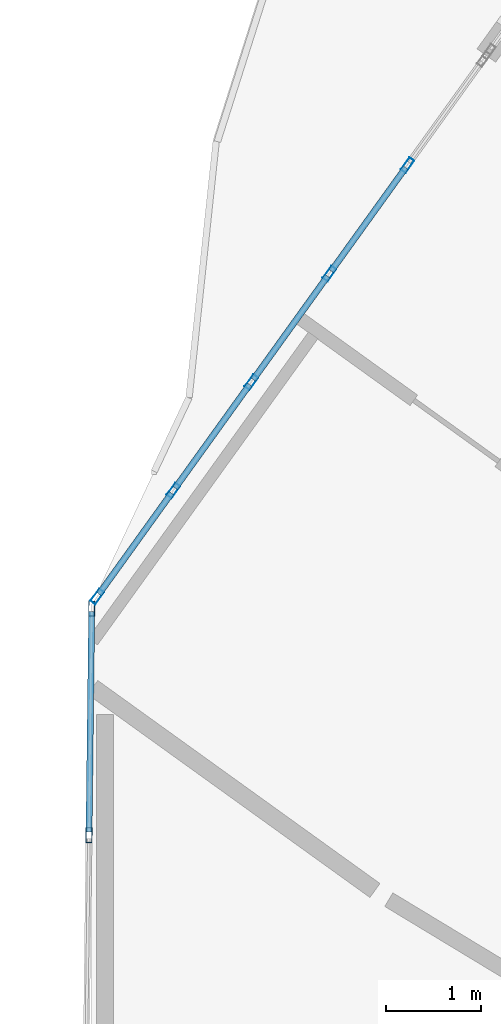
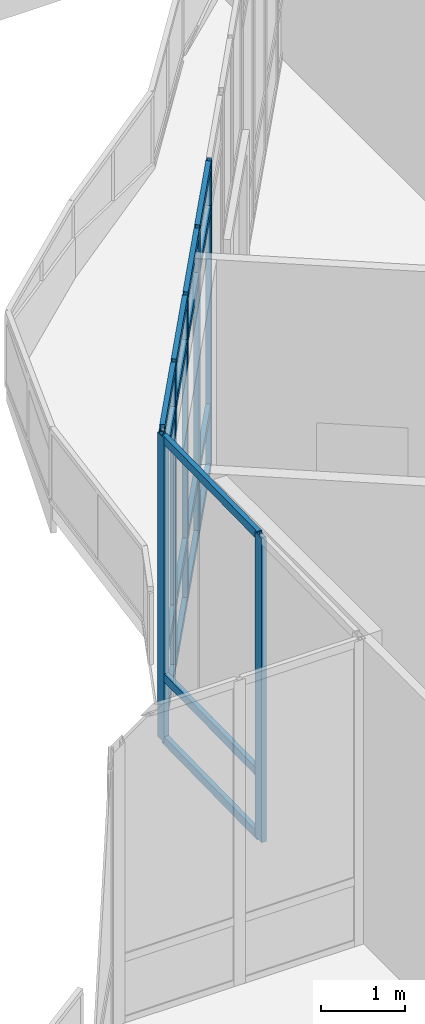
# One storey, part 19 of 168: 26 members, 2 elements without a shape of their own.
"""IFC4 building model written with IfcOpenShell, lengths in metres."""

from ifc_helpers import new_model, si_unit, direction, frame, origin, origin_2d, place, context, subcontext, project, spatial, hollow_rectangle, extrude, material, material_profile, profile_set, type_object, element, aggregate, save


model = new_model("IFC4")

# Units and contexts
model_context = context("Model", 3, precision=1e-05, world=origin(), true_north=direction((0.0, 1.0)))
body_context = subcontext(model_context, "Body", "Model", "MODEL_VIEW")
ifc_project = project(units=[si_unit("LENGTHUNIT", "METRE"), si_unit("AREAUNIT", "SQUARE_METRE"), si_unit("VOLUMEUNIT", "CUBIC_METRE"), si_unit("PLANEANGLEUNIT", "RADIAN"), si_unit("MASSUNIT", "GRAM", prefix="KILO")], contexts=[model_context])

# Site, building, storey
site_placement = place(None, origin())
site = spatial("IfcSite", under=ifc_project, at=site_placement, CompositionType="ELEMENT")
building_placement = place(site_placement, origin())
building = spatial("IfcBuilding", under=site, at=building_placement, Name="Selatvlak General Hospital", CompositionType="ELEMENT")
storey_placement = place(building_placement, frame((0.0, 0.0, 5.39990234375)))
storey = spatial("IfcBuildingStorey", under=building, at=storey_placement, Name="L01", CompositionType="ELEMENT", Elevation=5.39990234375)

# Curtain wall, members
ifc_material_1 = material(Name="Solar-control Low-E double glazing", Category="glass")
curtain_wall_type_1 = type_object("IfcCurtainWallType", Name="CW-CW-02", PredefinedType="USERDEFINED", material=ifc_material_1)
curtain_wall_1_placement = place(storey_placement, origin())
curtain_wall_1 = element("IfcCurtainWall", 1, at=curtain_wall_1_placement, inside=storey, type_object=curtain_wall_type_1, Name="Glazed facade curtain wall CW-L01-0186", ObjectType="UNITISED CURTAIN WALL", PredefinedType="USERDEFINED")
ifc_material_2 = material(Name="Dark anodised aluminium mullion", Category="aluminium")
ifc_material_profile_1 = material_profile(ifc_material_2, hollow_rectangle(XDim=0.06494140625, YDim=0.159912109375, WallThickness=0.00390625, at=origin_2d()), Name="AL-MUL 65x160x4")
ifc_profile_set_1 = profile_set([ifc_material_profile_1], Name="Dark anodised aluminium mullion")
member_type_1 = type_object("IfcMemberType", Name="CWM-01", PredefinedType="MULLION", material=ifc_profile_set_1)
member_1_placement = place(storey_placement, frame((22.7705078125, 34.478515625, 0.0), z_axis=(0.0, 0.0, 1.0), x_axis=(-0.999925308571, 0.012221999835, 0.0)))
member_1 = element("IfcMember", 2, at=member_1_placement, type_object=member_type_1, Name="CW-02 mullion 2", PredefinedType="MULLION", context=body_context, shape_type="SweptSolid", body=[
    extrude(hollow_rectangle(XDim=0.06494140625, YDim=0.159912109375, WallThickness=0.00390625, at=origin_2d()), origin(), (0.0, 0.0, 1.0), 4.445068359375),
])
member_2_placement = place(storey_placement, frame((22.799560546875, 36.859619140625, 0.0), z_axis=(0.0, 0.0, 1.0), x_axis=(-0.999925308571, 0.012221999835, 0.0)))
member_2 = element("IfcMember", 3, at=member_2_placement, type_object=member_type_1, Name="CW-02 mullion 3", PredefinedType="MULLION", context=body_context, shape_type="SweptSolid", body=[
    extrude(hollow_rectangle(XDim=0.06494140625, YDim=0.159912109375, WallThickness=0.00390625, at=origin_2d()), origin(), (0.0, 0.0, 1.0), 4.445068359375),
])

curtain_wall_type_2 = type_object("IfcCurtainWallType", Name="CW-CW-01", PredefinedType="USERDEFINED", material=ifc_material_1)
curtain_wall_2_placement = place(storey_placement, origin())
curtain_wall_2 = element("IfcCurtainWall", 4, at=curtain_wall_2_placement, inside=storey, type_object=curtain_wall_type_2, Name="Glazed facade curtain wall CW-L01-0188", ObjectType="UNITISED CURTAIN WALL", PredefinedType="USERDEFINED")
member_3_placement = place(storey_placement, frame((22.85693359375, 36.986328125, 0.0), z_axis=(0.0, 0.0, 1.0), x_axis=(-0.81180439095, 0.583929474196, 0.0)))
member_3 = element("IfcMember", 5, at=member_3_placement, type_object=member_type_1, Name="CW-01 mullion 1", PredefinedType="MULLION", context=body_context, shape_type="SweptSolid", body=[
    extrude(hollow_rectangle(XDim=0.06494140625, YDim=0.159912109375, WallThickness=0.00390625, at=origin_2d()), origin(), (0.0, 0.0, 1.0), 4.445068359375),
])
member_4_placement = place(storey_placement, frame((23.657958984375, 38.10009765625, 0.0), z_axis=(0.0, 0.0, 1.0), x_axis=(-0.81180439095, 0.583929474196, 0.0)))
member_4 = element("IfcMember", 6, at=member_4_placement, type_object=member_type_1, Name="CW-01 mullion 2", PredefinedType="MULLION", context=body_context, shape_type="SweptSolid", body=[
    extrude(hollow_rectangle(XDim=0.06494140625, YDim=0.159912109375, WallThickness=0.00390625, at=origin_2d()), origin(), (0.0, 0.0, 1.0), 4.445068359375),
])
member_5_placement = place(storey_placement, frame((24.47802734375, 39.239990234375, 0.0), z_axis=(0.0, 0.0, 1.0), x_axis=(-0.81180439095, 0.583929474196, 0.0)))
member_5 = element("IfcMember", 7, at=member_5_placement, type_object=member_type_1, Name="CW-01 mullion 3", PredefinedType="MULLION", context=body_context, shape_type="SweptSolid", body=[
    extrude(hollow_rectangle(XDim=0.06494140625, YDim=0.159912109375, WallThickness=0.00390625, at=origin_2d()), origin(), (0.0, 0.0, 1.0), 4.445068359375),
])
member_6_placement = place(storey_placement, frame((25.298095703125, 40.3798828125, 0.0), z_axis=(0.0, 0.0, 1.0), x_axis=(-0.81180439095, 0.583929474196, 0.0)))
member_6 = element("IfcMember", 8, at=member_6_placement, type_object=member_type_1, Name="CW-01 mullion 4", PredefinedType="MULLION", context=body_context, shape_type="SweptSolid", body=[
    extrude(hollow_rectangle(XDim=0.06494140625, YDim=0.159912109375, WallThickness=0.00390625, at=origin_2d()), origin(), (0.0, 0.0, 1.0), 4.445068359375),
])
member_7_placement = place(storey_placement, frame((26.117919921875, 41.52001953125, 0.0), z_axis=(0.0, 0.0, 1.0), x_axis=(-0.81180439095, 0.583929474196, 0.0)))
member_7 = element("IfcMember", 9, at=member_7_placement, type_object=member_type_1, Name="CW-01 mullion 5", PredefinedType="MULLION", context=body_context, shape_type="SweptSolid", body=[
    extrude(hollow_rectangle(XDim=0.06494140625, YDim=0.159912109375, WallThickness=0.00390625, at=origin_2d()), origin(), (0.0, 0.0, 1.0), 4.445068359375),
])

# Member
ifc_material_profile_2 = material_profile(ifc_material_2, hollow_rectangle(XDim=0.06494140625, YDim=0.1201171875, WallThickness=0.00390625, at=origin_2d()), Name="AL-TRN 65x120x4")
ifc_profile_set_2 = profile_set([ifc_material_profile_2], Name="Dark anodised aluminium mullion")
member_type_2 = type_object("IfcMemberType", Name="CWT-01", PredefinedType="USERDEFINED", material=ifc_profile_set_2)
member_8_placement = place(storey_placement, frame((22.77099609375, 34.510986328125, 0.03271484375), z_axis=(0.012227633123, 0.9999252397, 0.0), x_axis=(-0.9999252397, 0.012227633123, 0.0)))
member_8 = element("IfcMember", 10, at=member_8_placement, type_object=member_type_2, Name="CW-02 transom 2.1", ObjectType="TRANSOM", PredefinedType="USERDEFINED", context=body_context, shape_type="SweptSolid", body=[
    extrude(hollow_rectangle(XDim=0.06494140625, YDim=0.1201171875, WallThickness=0.00390625, at=origin_2d()), origin(), (0.0, 0.0, 1.0), 2.316162109375),
])

member_9_placement = place(storey_placement, frame((22.77099609375, 34.510986328125, 0.9501953125), z_axis=(0.012227633123, 0.9999252397, 0.0), x_axis=(-0.9999252397, 0.012227633123, 0.0)))
member_9 = element("IfcMember", 11, at=member_9_placement, type_object=member_type_2, Name="CW-02 transom 2.2", ObjectType="TRANSOM", PredefinedType="USERDEFINED", context=body_context, shape_type="SweptSolid", body=[
    extrude(hollow_rectangle(XDim=0.06494140625, YDim=0.1201171875, WallThickness=0.00390625, at=origin_2d()), origin(), (0.0, 0.0, 1.0), 2.316162109375),
])

member_10_placement = place(storey_placement, frame((22.77099609375, 34.510986328125, 4.41259765625), z_axis=(0.012227633123, 0.9999252397, 0.0), x_axis=(-0.9999252397, 0.012227633123, 0.0)))
member_10 = element("IfcMember", 12, at=member_10_placement, type_object=member_type_2, Name="CW-02 transom 2.3", ObjectType="TRANSOM", PredefinedType="USERDEFINED", context=body_context, shape_type="SweptSolid", body=[
    extrude(hollow_rectangle(XDim=0.06494140625, YDim=0.1201171875, WallThickness=0.00390625, at=origin_2d()), origin(), (0.0, 0.0, 1.0), 2.316162109375),
])

aggregate(curtain_wall_1, [member_1, member_2, member_8, member_9, member_10])

member_11_placement = place(storey_placement, frame((22.8759765625, 37.0126953125, 0.03271484375), z_axis=(0.583797710583, 0.811899152062, 0.0), x_axis=(-0.811899152062, 0.583797710583, 0.0)))
member_11 = element("IfcMember", 13, at=member_11_placement, type_object=member_type_2, Name="CW-01 transom 1.1", ObjectType="TRANSOM", PredefinedType="USERDEFINED", context=body_context, shape_type="SweptSolid", body=[
    extrude(hollow_rectangle(XDim=0.06494140625, YDim=0.1201171875, WallThickness=0.00390625, at=origin_2d()), origin(), (0.0, 0.0, 1.0), 1.306884765625),
])

member_12_placement = place(storey_placement, frame((22.8759765625, 37.0126953125, 0.900146484375), z_axis=(0.583797710583, 0.811899152062, 0.0), x_axis=(-0.811899152062, 0.583797710583, 0.0)))
member_12 = element("IfcMember", 14, at=member_12_placement, type_object=member_type_2, Name="CW-01 transom 1.2", ObjectType="TRANSOM", PredefinedType="USERDEFINED", context=body_context, shape_type="SweptSolid", body=[
    extrude(hollow_rectangle(XDim=0.06494140625, YDim=0.1201171875, WallThickness=0.00390625, at=origin_2d()), origin(), (0.0, 0.0, 1.0), 1.306884765625),
])

member_13_placement = place(storey_placement, frame((22.8759765625, 37.0126953125, 3.795166015625), z_axis=(0.583797710583, 0.811899152062, 0.0), x_axis=(-0.811899152062, 0.583797710583, 0.0)))
member_13 = element("IfcMember", 15, at=member_13_placement, type_object=member_type_2, Name="CW-01 transom 1.3", ObjectType="TRANSOM", PredefinedType="USERDEFINED", context=body_context, shape_type="SweptSolid", body=[
    extrude(hollow_rectangle(XDim=0.06494140625, YDim=0.1201171875, WallThickness=0.00390625, at=origin_2d()), origin(), (0.0, 0.0, 1.0), 1.306884765625),
])

member_14_placement = place(storey_placement, frame((22.8759765625, 37.0126953125, 4.41259765625), z_axis=(0.583797710583, 0.811899152062, 0.0), x_axis=(-0.811899152062, 0.583797710583, 0.0)))
member_14 = element("IfcMember", 16, at=member_14_placement, type_object=member_type_2, Name="CW-01 transom 1.4", ObjectType="TRANSOM", PredefinedType="USERDEFINED", context=body_context, shape_type="SweptSolid", body=[
    extrude(hollow_rectangle(XDim=0.06494140625, YDim=0.1201171875, WallThickness=0.00390625, at=origin_2d()), origin(), (0.0, 0.0, 1.0), 1.306884765625),
])

member_15_placement = place(storey_placement, frame((23.677001953125, 38.12646484375, 0.03271484375), z_axis=(0.583925258596, 0.811807423206, 0.0), x_axis=(-0.811807423206, 0.583925258596, 0.0)))
member_15 = element("IfcMember", 17, at=member_15_placement, type_object=member_type_2, Name="CW-01 transom 2.1", ObjectType="TRANSOM", PredefinedType="USERDEFINED", context=body_context, shape_type="SweptSolid", body=[
    extrude(hollow_rectangle(XDim=0.06494140625, YDim=0.1201171875, WallThickness=0.00390625, at=origin_2d()), origin(), (0.0, 0.0, 1.0), 1.339111328125),
])

member_16_placement = place(storey_placement, frame((23.677001953125, 38.12646484375, 0.900146484375), z_axis=(0.583925258596, 0.811807423206, 0.0), x_axis=(-0.811807423206, 0.583925258596, 0.0)))
member_16 = element("IfcMember", 18, at=member_16_placement, type_object=member_type_2, Name="CW-01 transom 2.2", ObjectType="TRANSOM", PredefinedType="USERDEFINED", context=body_context, shape_type="SweptSolid", body=[
    extrude(hollow_rectangle(XDim=0.06494140625, YDim=0.1201171875, WallThickness=0.00390625, at=origin_2d()), origin(), (0.0, 0.0, 1.0), 1.339111328125),
])

member_17_placement = place(storey_placement, frame((23.677001953125, 38.12646484375, 3.795166015625), z_axis=(0.583925258596, 0.811807423206, 0.0), x_axis=(-0.811807423206, 0.583925258596, 0.0)))
member_17 = element("IfcMember", 19, at=member_17_placement, type_object=member_type_2, Name="CW-01 transom 2.3", ObjectType="TRANSOM", PredefinedType="USERDEFINED", context=body_context, shape_type="SweptSolid", body=[
    extrude(hollow_rectangle(XDim=0.06494140625, YDim=0.1201171875, WallThickness=0.00390625, at=origin_2d()), origin(), (0.0, 0.0, 1.0), 1.339111328125),
])

member_18_placement = place(storey_placement, frame((23.677001953125, 38.12646484375, 4.41259765625), z_axis=(0.583925258596, 0.811807423206, 0.0), x_axis=(-0.811807423206, 0.583925258596, 0.0)))
member_18 = element("IfcMember", 20, at=member_18_placement, type_object=member_type_2, Name="CW-01 transom 2.4", ObjectType="TRANSOM", PredefinedType="USERDEFINED", context=body_context, shape_type="SweptSolid", body=[
    extrude(hollow_rectangle(XDim=0.06494140625, YDim=0.1201171875, WallThickness=0.00390625, at=origin_2d()), origin(), (0.0, 0.0, 1.0), 1.339111328125),
])

member_19_placement = place(storey_placement, frame((24.4970703125, 39.266357421875, 0.03271484375), z_axis=(0.583925258596, 0.811807423206, 0.0), x_axis=(-0.811807423206, 0.583925258596, 0.0)))
member_19 = element("IfcMember", 21, at=member_19_placement, type_object=member_type_2, Name="CW-01 transom 3.1", ObjectType="TRANSOM", PredefinedType="USERDEFINED", context=body_context, shape_type="SweptSolid", body=[
    extrude(hollow_rectangle(XDim=0.06494140625, YDim=0.1201171875, WallThickness=0.00390625, at=origin_2d()), origin(), (0.0, 0.0, 1.0), 1.339111328125),
])

member_20_placement = place(storey_placement, frame((24.4970703125, 39.266357421875, 0.900146484375), z_axis=(0.583925258596, 0.811807423206, 0.0), x_axis=(-0.811807423206, 0.583925258596, 0.0)))
member_20 = element("IfcMember", 22, at=member_20_placement, type_object=member_type_2, Name="CW-01 transom 3.2", ObjectType="TRANSOM", PredefinedType="USERDEFINED", context=body_context, shape_type="SweptSolid", body=[
    extrude(hollow_rectangle(XDim=0.06494140625, YDim=0.1201171875, WallThickness=0.00390625, at=origin_2d()), origin(), (0.0, 0.0, 1.0), 1.339111328125),
])

member_21_placement = place(storey_placement, frame((24.4970703125, 39.266357421875, 3.795166015625), z_axis=(0.583925258596, 0.811807423206, 0.0), x_axis=(-0.811807423206, 0.583925258596, 0.0)))
member_21 = element("IfcMember", 23, at=member_21_placement, type_object=member_type_2, Name="CW-01 transom 3.3", ObjectType="TRANSOM", PredefinedType="USERDEFINED", context=body_context, shape_type="SweptSolid", body=[
    extrude(hollow_rectangle(XDim=0.06494140625, YDim=0.1201171875, WallThickness=0.00390625, at=origin_2d()), origin(), (0.0, 0.0, 1.0), 1.339111328125),
])

member_22_placement = place(storey_placement, frame((24.4970703125, 39.266357421875, 4.41259765625), z_axis=(0.583925258596, 0.811807423206, 0.0), x_axis=(-0.811807423206, 0.583925258596, 0.0)))
member_22 = element("IfcMember", 24, at=member_22_placement, type_object=member_type_2, Name="CW-01 transom 3.4", ObjectType="TRANSOM", PredefinedType="USERDEFINED", context=body_context, shape_type="SweptSolid", body=[
    extrude(hollow_rectangle(XDim=0.06494140625, YDim=0.1201171875, WallThickness=0.00390625, at=origin_2d()), origin(), (0.0, 0.0, 1.0), 1.339111328125),
])

member_23_placement = place(storey_placement, frame((25.31689453125, 40.406494140625, 0.03271484375), z_axis=(0.584045384595, 0.811721004245, 0.0), x_axis=(-0.811721004245, 0.584045384595, 0.0)))
member_23 = element("IfcMember", 25, at=member_23_placement, type_object=member_type_2, Name="CW-01 transom 4.1", ObjectType="TRANSOM", PredefinedType="USERDEFINED", context=body_context, shape_type="SweptSolid", body=[
    extrude(hollow_rectangle(XDim=0.06494140625, YDim=0.1201171875, WallThickness=0.00390625, at=origin_2d()), origin(), (0.0, 0.0, 1.0), 1.33935546875),
])

member_24_placement = place(storey_placement, frame((25.31689453125, 40.406494140625, 0.900146484375), z_axis=(0.584045384595, 0.811721004245, 0.0), x_axis=(-0.811721004245, 0.584045384595, 0.0)))
member_24 = element("IfcMember", 26, at=member_24_placement, type_object=member_type_2, Name="CW-01 transom 4.2", ObjectType="TRANSOM", PredefinedType="USERDEFINED", context=body_context, shape_type="SweptSolid", body=[
    extrude(hollow_rectangle(XDim=0.06494140625, YDim=0.1201171875, WallThickness=0.00390625, at=origin_2d()), origin(), (0.0, 0.0, 1.0), 1.33935546875),
])

member_25_placement = place(storey_placement, frame((25.31689453125, 40.406494140625, 3.795166015625), z_axis=(0.584045384595, 0.811721004245, 0.0), x_axis=(-0.811721004245, 0.584045384595, 0.0)))
member_25 = element("IfcMember", 27, at=member_25_placement, type_object=member_type_2, Name="CW-01 transom 4.3", ObjectType="TRANSOM", PredefinedType="USERDEFINED", context=body_context, shape_type="SweptSolid", body=[
    extrude(hollow_rectangle(XDim=0.06494140625, YDim=0.1201171875, WallThickness=0.00390625, at=origin_2d()), origin(), (0.0, 0.0, 1.0), 1.33935546875),
])

member_26_placement = place(storey_placement, frame((25.31689453125, 40.406494140625, 4.41259765625), z_axis=(0.584045384595, 0.811721004245, 0.0), x_axis=(-0.811721004245, 0.584045384595, 0.0)))
member_26 = element("IfcMember", 28, at=member_26_placement, type_object=member_type_2, Name="CW-01 transom 4.4", ObjectType="TRANSOM", PredefinedType="USERDEFINED", context=body_context, shape_type="SweptSolid", body=[
    extrude(hollow_rectangle(XDim=0.06494140625, YDim=0.1201171875, WallThickness=0.00390625, at=origin_2d()), origin(), (0.0, 0.0, 1.0), 1.33935546875),
])

aggregate(curtain_wall_2, [member_3, member_4, member_5, member_6, member_7, member_11, member_12, member_13, member_14, member_15, member_16, member_17, member_18, member_19, member_20, member_21, member_22, member_23, member_24, member_25, member_26])

save(model, "model.ifc")
